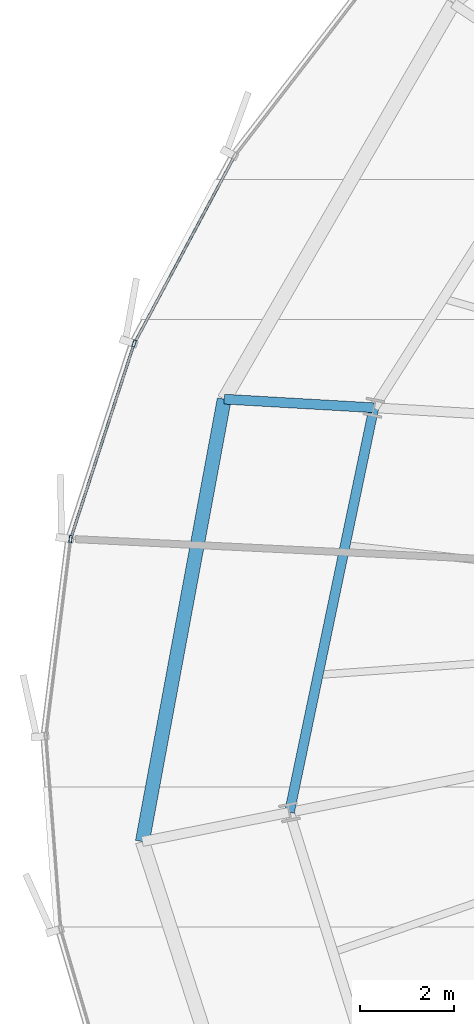
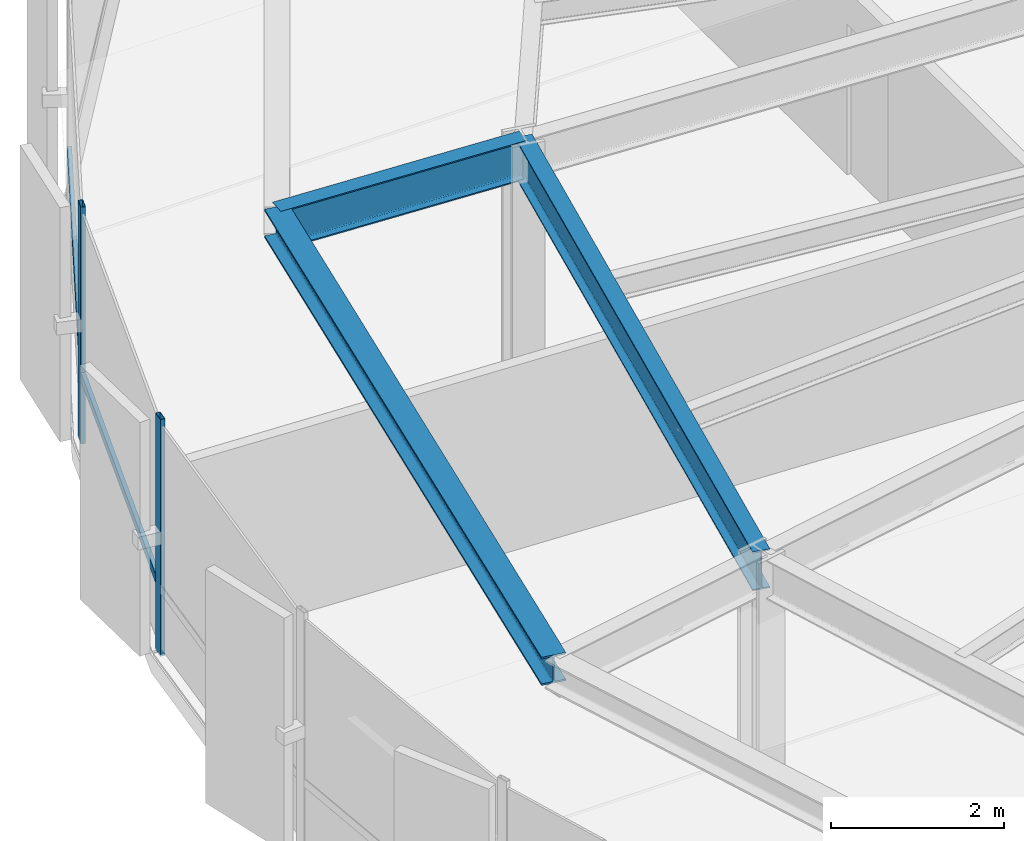
# One storey, part 9 of 34: 4 members, 3 beams, 1 element without a shape of its own.
"""IFC4 building model written with IfcOpenShell, lengths in metres."""

import ifcopenshell
import ifcopenshell.guid

model = None  # the IFC model being written
_history = None  # IfcOwnerHistory: only IFC2X3 demands one
_inside = {}  # id of a spatial element -> (the spatial element, [elements in it])
_under = {}  # id of a project, library or spatial element -> (it, [spatial elements below it])
_declared = {}  # id of a project -> (the project, [libraries it declares])
_typed = {}  # id of a type object -> (the type object, [elements of that type])
_made_of = {}  # id of a material, layer set ... -> (it, [elements and type objects made of it])


def new_model(schema):
    """Start an empty IFC model of exactly this schema.

    Asked for "IFC4X3", IfcOpenShell would pick the latest addendum, in which some entities
    have other attributes; the version numbers below select the first issue.
    IFC2X3 requires an IfcOwnerHistory on every rooted entity: one is made here for all.
    """
    global model, _history
    if schema == "IFC4X3":
        model = ifcopenshell.file(schema_version=(4, 3, 0, 0))
    else:
        model = ifcopenshell.file(schema=schema)
    _inside.clear()
    _under.clear()
    _declared.clear()
    _typed.clear()
    _made_of.clear()
    _history = None
    if model.schema == "IFC2X3":
        org = make("IfcOrganization", Name="unknown")
        user = make(
            "IfcPersonAndOrganization",
            ThePerson=make("IfcPerson", FamilyName="unknown"),
            TheOrganization=org,
        )
        app = make(
            "IfcApplication",
            ApplicationDeveloper=org,
            Version="unknown",
            ApplicationFullName="unknown",
            ApplicationIdentifier="unknown",
        )
        _history = make(
            "IfcOwnerHistory",
            OwningUser=user,
            OwningApplication=app,
            ChangeAction="ADDED",
            CreationDate=0,
        )
    return model


def make(cls, **values):
    """One entity of the class cls with the attributes given. An attribute that is None is left unset."""
    return model.create_entity(
        cls, **{name: value for name, value in values.items() if value is not None}
    )


def rooted(cls, **values):
    """An entity with a GlobalId (a new one), such as an element, a storey or a relation."""
    return make(cls, GlobalId=ifcopenshell.guid.new(), OwnerHistory=_history, **values)


def si_unit(unit_type, name, prefix=None):
    """IfcSIUnit, for example si_unit("LENGTHUNIT", "METRE", prefix="MILLI")."""
    return make("IfcSIUnit", UnitType=unit_type, Prefix=prefix, Name=name)


def assignment(units):
    """IfcUnitAssignment: the units of a project."""
    return None if units is None else make("IfcUnitAssignment", Units=units)


def point(xyz):
    """IfcCartesianPoint."""
    return None if xyz is None else make("IfcCartesianPoint", Coordinates=xyz)


def direction(xyz):
    """IfcDirection."""
    return None if xyz is None else make("IfcDirection", DirectionRatios=xyz)


def frame(location, z_axis=None, x_axis=None):
    """IfcAxis2Placement3D, a coordinate frame: its origin and axes. An axis left out is left unset."""
    return make(
        "IfcAxis2Placement3D",
        Location=point(location),
        Axis=direction(z_axis),
        RefDirection=direction(x_axis),
    )


def frame_2d(location, x_axis=None):
    """IfcAxis2Placement2D, a coordinate frame in the plane: its origin and x axis."""
    return make(
        "IfcAxis2Placement2D", Location=point(location), RefDirection=direction(x_axis)
    )


def origin():
    """The frame at (0, 0, 0) with its axes left unset."""
    return frame((0.0, 0.0, 0.0))


def origin_2d():
    """The frame at (0, 0) in the plane with its x axis left unset."""
    return frame_2d((0.0, 0.0))


def place(relative_to, where):
    """IfcLocalPlacement: puts the frame where relative to a parent placement (None: the world)."""
    return make(
        "IfcLocalPlacement", PlacementRelTo=relative_to, RelativePlacement=where
    )


def context(
    kind, dimensions, precision=None, world=None, true_north=None, identifier=None
):
    """IfcGeometricRepresentationContext, for example the 3D "Model" context."""
    return make(
        "IfcGeometricRepresentationContext",
        ContextIdentifier=identifier,
        ContextType=kind,
        CoordinateSpaceDimension=dimensions,
        Precision=precision,
        WorldCoordinateSystem=world,
        TrueNorth=true_north,
    )


def subcontext(parent, identifier, kind, view, scale=None):
    """IfcGeometricRepresentationSubContext, for example "Body" below "Model"."""
    return make(
        "IfcGeometricRepresentationSubContext",
        ContextIdentifier=identifier,
        ContextType=kind,
        ParentContext=parent,
        TargetScale=scale,
        TargetView=view,
    )


def project(units=None, contexts=None):
    """IfcProject with its units and contexts."""
    return rooted(
        "IfcProject",
        Name="project",
        RepresentationContexts=contexts,
        UnitsInContext=assignment(units),
    )


def spatial(cls, under=None, at=None, **own):
    """A site, building, storey or space (cls), placed at a placement, below another one or the project."""
    s = rooted(cls, ObjectPlacement=at, **own)
    if under is not None:
        _under.setdefault(under.id(), (under, []))[1].append(s)
    return s


def profile(cls, at=None, kind="AREA", **sizes):
    """A parametric profile (cls). Its sizes go by their IFC names, for example OverallWidth=200.0."""
    return make(cls, ProfileType=kind, Position=at, **sizes)


def hollow_rectangle(**sizes):
    """IfcRectangleHollowProfileDef."""
    return profile("IfcRectangleHollowProfileDef", **sizes)


def i_section(**sizes):
    """IfcIShapeProfileDef."""
    return profile("IfcIShapeProfileDef", **sizes)


def extrude(swept, where, along, depth):
    """IfcExtrudedAreaSolid: the profile swept, set in the frame where, extruded along a direction by depth."""
    return make(
        "IfcExtrudedAreaSolid",
        SweptArea=swept,
        Position=where,
        ExtrudedDirection=direction(along),
        Depth=depth,
    )


def shape(context_of_items, identifier, shape_type, items):
    """IfcShapeRepresentation: the items that make up one representation, for example the "Body"."""
    return make(
        "IfcShapeRepresentation",
        ContextOfItems=context_of_items,
        RepresentationIdentifier=identifier,
        RepresentationType=shape_type,
        Items=items,
    )


def source(mapping_origin, context_of_items, identifier, shape_type, items):
    """IfcRepresentationMap: a shape defined once, which mapped items show again and again."""
    return make(
        "IfcRepresentationMap",
        MappingOrigin=mapping_origin,
        MappedRepresentation=shape(context_of_items, identifier, shape_type, items),
    )


def transform(
    local_origin,
    x_axis=None,
    y_axis=None,
    z_axis=None,
    scale=None,
    scale2=None,
    scale3=None,
    uniform=True,
):
    """IfcCartesianTransformationOperator3D, or its non-uniform kind. x_axis, y_axis, z_axis: its Axis1, 2, 3."""
    if uniform:
        return make(
            "IfcCartesianTransformationOperator3D",
            Axis1=direction(x_axis),
            Axis2=direction(y_axis),
            LocalOrigin=point(local_origin),
            Scale=scale,
            Axis3=direction(z_axis),
        )
    return make(
        "IfcCartesianTransformationOperator3DnonUniform",
        Axis1=direction(x_axis),
        Axis2=direction(y_axis),
        LocalOrigin=point(local_origin),
        Scale=scale,
        Axis3=direction(z_axis),
        Scale2=scale2,
        Scale3=scale3,
    )


def mapped(mapping_source, mapping_target):
    """IfcMappedItem: shows the shape of a source again, moved by a transform."""
    return make(
        "IfcMappedItem", MappingSource=mapping_source, MappingTarget=mapping_target
    )


def material(Name=None, Category=None):
    """IfcMaterial."""
    return make("IfcMaterial", Name=Name, Category=Category)


def layer(
    of_material, thickness, ventilated=None, Name=None, Category=None, Priority=None
):
    """IfcMaterialLayer: one layer of a wall or slab, of a material (None: an air gap)."""
    return make(
        "IfcMaterialLayer",
        Material=of_material,
        LayerThickness=thickness,
        IsVentilated=ventilated,
        Name=Name,
        Category=Category,
        Priority=Priority,
    )


def layer_set(layers, Name=None):
    """IfcMaterialLayerSet."""
    return make("IfcMaterialLayerSet", MaterialLayers=layers, LayerSetName=Name)


def material_profile(
    of_material, cross_section, Name=None, Category=None, Priority=None
):
    """IfcMaterialProfile: a cross section and its material."""
    return make(
        "IfcMaterialProfile",
        Name=Name,
        Material=of_material,
        Profile=cross_section,
        Priority=Priority,
        Category=Category,
    )


def profile_set(profiles, Name=None, composite=None):
    """IfcMaterialProfileSet."""
    return make(
        "IfcMaterialProfileSet",
        Name=Name,
        MaterialProfiles=profiles,
        CompositeProfile=composite,
    )


def made_of(thing, what):
    """Note that an element or type object is made of a material, layer set ...; save() writes the relation."""
    if what is not None:
        _made_of.setdefault(what.id(), (what, []))[1].append(thing)
    return thing


def type_object(cls, material=None, **own):
    """A type object (cls), such as IfcWallType, which elements share."""
    return made_of(rooted(cls, **own), material)


def element(
    cls,
    number,
    at=None,
    inside=None,
    cuts=None,
    type_object=None,
    material=None,
    context=None,
    identifier="Body",
    shape_type=None,
    held_by="IfcProductDefinitionShape",
    body=None,
    shapes=None,
    **own,
):
    """One element of the class cls, such as IfcWall. Its Tag is "e" and its number.

    at: its placement. inside: the storey or other place that contains it. cuts: it is an
    opening in that element (IfcRelVoidsElement). A single representation is given by context,
    identifier, shape_type and body (its items); several are given by shapes. held_by: the class
    of the entity that holds the representations. save() writes the other relations.
    """
    e = rooted(cls, Tag="e%d" % number, ObjectPlacement=at, **own)
    if body is not None:
        shapes = [shape(context, identifier, shape_type, body)]
    if shapes is not None:
        e.Representation = make(held_by, Representations=shapes)
    if inside is not None:
        _inside.setdefault(inside.id(), (inside, []))[1].append(e)
    if cuts is not None:
        rooted(
            "IfcRelVoidsElement", RelatingBuildingElement=cuts, RelatedOpeningElement=e
        )
    if type_object is not None:
        _typed.setdefault(type_object.id(), (type_object, []))[1].append(e)
    return made_of(e, material)


def aggregate(whole, parts):
    """IfcRelAggregates: a whole, such as a stair, and the parts it consists of."""
    return rooted("IfcRelAggregates", RelatingObject=whole, RelatedObjects=parts)


def save(model, path):
    """Write the relations noted so far, then the file.

    IfcRelAggregates (storeys below a building ...), IfcRelContainedInSpatialStructure (elements
    in a storey), IfcRelDefinesByType, IfcRelAssociatesMaterial and IfcRelDeclares: one each for
    every whole, place, type object, material and project.
    """
    for whole, parts in _under.values():
        aggregate(whole, parts)
    for where, things in _inside.values():
        rooted(
            "IfcRelContainedInSpatialStructure",
            RelatedElements=things,
            RelatingStructure=where,
        )
    for kind, things in _typed.values():
        rooted("IfcRelDefinesByType", RelatedObjects=things, RelatingType=kind)
    for what, things in _made_of.values():
        rooted("IfcRelAssociatesMaterial", RelatedObjects=things, RelatingMaterial=what)
    for by, libraries in _declared.values():
        rooted("IfcRelDeclares", RelatingContext=by, RelatedDefinitions=libraries)
    model.write(path)


model = new_model("IFC4")

# Units and contexts
model_context = context("Model", 3, precision=1e-05, world=origin(), true_north=direction((0.0, 1.0)))
body_context = subcontext(model_context, "Body", "Model", "MODEL_VIEW")
ifc_project = project(units=[si_unit("LENGTHUNIT", "METRE"), si_unit("AREAUNIT", "SQUARE_METRE"), si_unit("VOLUMEUNIT", "CUBIC_METRE"), si_unit("PLANEANGLEUNIT", "RADIAN"), si_unit("MASSUNIT", "GRAM", prefix="KILO"), si_unit("THERMODYNAMICTEMPERATUREUNIT", "KELVIN")], contexts=[model_context])

# Site, building, storey
site_placement = place(None, origin())
site = spatial("IfcSite", under=ifc_project, at=site_placement, CompositionType="ELEMENT")
building_placement = place(site_placement, origin())
building = spatial("IfcBuilding", under=site, at=building_placement, Name="Kethvar Cultural Tower", CompositionType="ELEMENT")
storey_placement = place(building_placement, frame((0.0, 0.0, 125.199951171875)))
storey = spatial("IfcBuildingStorey", under=building, at=storey_placement, Name="L31", CompositionType="ELEMENT", Elevation=125.199951171875)

# Beams
ifc_material_1 = material(Name="Steel S355J2", Category="steel")
ifc_material_profile_1 = material_profile(ifc_material_1, i_section(OverallWidth=0.2099609375, OverallDepth=0.550048828125, WebThickness=0.010986328125, FlangeThickness=0.01708984375, FilletRadius=0.02392578125, at=origin_2d()), Name="Steel S355J2 — IPE550")
ifc_profile_set_1 = profile_set([ifc_material_profile_1], Name="Steel S355J2 — IPE550")
beam_type_1 = type_object("IfcBeamType", Name="BM-IPE550", PredefinedType="BEAM", material=ifc_profile_set_1)
shared_shape_1 = source(origin(), body_context, "Body", "SweptSolid", [
    extrude(i_section(OverallWidth=0.2099609375, OverallDepth=0.550048828125, WebThickness=0.010986328125, FlangeThickness=0.01708984375, FilletRadius=0.02392578125, at=origin_2d()), origin(), (0.0, 0.0, 1.0), 3.2001953125),
])
beam_1_placement = place(storey_placement, frame((25.988525390625, 31.939697265625, 3.072998046875), z_axis=(-0.998357274949, 0.057295301352, 0.0), x_axis=(-0.057295301352, -0.998357274949, 0.0)))
element("IfcBeam", 1, at=beam_1_placement, inside=storey, type_object=beam_type_1, Name="L31 Perimeter Cantilever Beam RC-08", PredefinedType="BEAM", context=body_context, shape_type="MappedRepresentation", body=[
    mapped(shared_shape_1, transform((0.0, 0.0, 0.0), scale=1.0)),
])
shared_shape_2 = source(origin(), body_context, "Body", "SweptSolid", [
    extrude(i_section(OverallWidth=0.2099609375, OverallDepth=0.550048828125, WebThickness=0.010986328125, FlangeThickness=0.01708984375, FilletRadius=0.02392578125, at=origin_2d()), origin(), (0.0, 0.0, 1.0), 8.82421875),
])
beam_2_placement = place(storey_placement, frame((25.988525390625, 31.939697265625, 3.072998046875), z_axis=(-0.204350879122, -0.978897705688, 0.0), x_axis=(0.978897705688, -0.204350879122, 0.0)))
element("IfcBeam", 2, at=beam_2_placement, inside=storey, type_object=beam_type_1, Name="L31 Column Ring Tie Beam CR-08", PredefinedType="BEAM", context=body_context, shape_type="MappedRepresentation", body=[
    mapped(shared_shape_2, transform((0.0, 0.0, 0.0), scale=1.0)),
])
ifc_material_profile_2 = material_profile(ifc_material_1, i_section(OverallWidth=0.300048828125, OverallDepth=0.39990234375, WebThickness=0.013427734375, FlangeThickness=0.02392578125, FilletRadius=0.027099609375, at=origin_2d()), Name="Steel S355J2 — HEB400")
ifc_profile_set_2 = profile_set([ifc_material_profile_2], Name="Steel S355J2 — HEB400")
beam_type_2 = type_object("IfcBeamType", Name="BM-SP400", PredefinedType="SPANDREL", material=ifc_profile_set_2)
shared_shape_3 = source(origin(), body_context, "Body", "SweptSolid", [
    extrude(i_section(OverallWidth=0.300048828125, OverallDepth=0.39990234375, WebThickness=0.013427734375, FlangeThickness=0.02392578125, FilletRadius=0.027099609375, at=origin_2d()), origin(), (0.0, 0.0, 1.0), 9.605712890625),
])
beam_3_placement = place(storey_placement, frame((22.793701171875, 32.123046875, 3.14794921875), z_axis=(-0.1818526217, -0.983325797476, 0.0), x_axis=(0.983325797476, -0.1818526217, 0.0)))
element("IfcBeam", 3, at=beam_3_placement, inside=storey, type_object=beam_type_2, Name="L31 Perimeter Spandrel Beam SP-08", PredefinedType="SPANDREL", context=body_context, shape_type="MappedRepresentation", body=[
    mapped(shared_shape_3, transform((0.0, 0.0, 0.0), scale=1.0)),
])

# Curtain wall, members
ifc_material_2 = material(Name="Aluminium 6063-T6", Category="aluminium")
ifc_layer = layer(ifc_material_2, 0.179931640625, Name="Aluminium 6063-T6", Category="aluminium")
ifc_layer_set = layer_set([ifc_layer], Name="Aluminium 6063-T6 (180 mm)")
curtain_wall_type = type_object("IfcCurtainWallType", Name="CW-SYS-03-Z2", PredefinedType="NOTDEFINED", material=ifc_layer_set)
curtain_wall_placement = place(storey_placement, origin())
curtain_wall = element("IfcCurtainWall", 4, at=curtain_wall_placement, inside=storey, type_object=curtain_wall_type, Name="L31 Curtain Wall Run 03", PredefinedType="NOTDEFINED")
ifc_material_profile_3 = material_profile(ifc_material_2, hollow_rectangle(XDim=0.06005859375, YDim=0.14990234375, WallThickness=0.0048828125, at=origin_2d()), Name="Aluminium 6063-T6 — RHS150x60x5")
ifc_profile_set_3 = profile_set([ifc_material_profile_3], Name="Aluminium 6063-T6 — RHS150x60x5")
member_type_1 = type_object("IfcMemberType", Name="CW-SYS-03-Z2-MUL", PredefinedType="MULLION", material=ifc_profile_set_3)
shared_shape_4 = source(origin(), body_context, "Body", "SweptSolid", [
    extrude(hollow_rectangle(XDim=0.06005859375, YDim=0.14990234375, WallThickness=0.0048828125, at=origin_2d()), origin(), (0.0, 0.0, 1.0), 3.35009765625),
])
member_1_placement = place(storey_placement, frame((20.87060546875, 33.310302734375, 0.0), z_axis=(0.0, 0.0, 1.0), x_axis=(0.951040334899, -0.309066791154, 0.0)))
member_1 = element("IfcMember", 5, at=member_1_placement, type_object=member_type_1, Name="CW-L31-R03 Mullion 3", PredefinedType="MULLION", context=body_context, shape_type="MappedRepresentation", body=[
    mapped(shared_shape_4, transform((0.0, 0.0, 0.0), scale=1.0)),
])
member_2_placement = place(storey_placement, frame((19.512939453125, 29.139404296875, 0.0), z_axis=(0.0, 0.0, 1.0), x_axis=(0.992262751034, -0.124155680141, 0.0)))
member_2 = element("IfcMember", 6, at=member_2_placement, type_object=member_type_1, Name="CW-L31-R03 Mullion 4", PredefinedType="MULLION", context=body_context, shape_type="MappedRepresentation", body=[
    mapped(shared_shape_4, transform((0.0, 0.0, 0.0), scale=1.0)),
])
ifc_material_profile_4 = material_profile(ifc_material_2, hollow_rectangle(XDim=0.054931640625, YDim=0.1201171875, WallThickness=0.00390625, at=origin_2d()), Name="Aluminium 6063-T6 — RHS120x55x4")
ifc_profile_set_4 = profile_set([ifc_material_profile_4], Name="Aluminium 6063-T6 — RHS120x55x4")
member_type_2 = type_object("IfcMemberType", Name="CW-SYS-03-Z2-TRN", PredefinedType="USERDEFINED", material=ifc_profile_set_4)
shared_shape_5 = source(origin(), body_context, "Body", "SweptSolid", [
    extrude(hollow_rectangle(XDim=0.054931640625, YDim=0.1201171875, WallThickness=0.00390625, at=origin_2d()), origin(), (0.0, 0.0, 1.0), 4.47705078125),
])
member_3_placement = place(storey_placement, frame((22.99560546875, 37.27685546875, 0.949951171875), z_axis=(-0.471906629766, -0.881648531322, 0.0), x_axis=(0.881648531322, -0.471906629766, 0.0)))
member_3 = element("IfcMember", 7, at=member_3_placement, type_object=member_type_2, Name="CW-L31-R03 Transom 2", ObjectType="TRANSOM", PredefinedType="USERDEFINED", context=body_context, shape_type="MappedRepresentation", body=[
    mapped(shared_shape_5, transform((0.0, 0.0, 0.0), scale=1.0)),
])
shared_shape_6 = source(origin(), body_context, "Body", "SweptSolid", [
    extrude(hollow_rectangle(XDim=0.054931640625, YDim=0.1201171875, WallThickness=0.00390625, at=origin_2d()), origin(), (0.0, 0.0, 1.0), 4.321533203125),
])
member_4_placement = place(storey_placement, frame((20.857177734375, 33.26904296875, 0.949951171875), z_axis=(-0.309083517452, -0.951034899065, 0.0), x_axis=(0.951034899065, -0.309083517452, 0.0)))
member_4 = element("IfcMember", 8, at=member_4_placement, type_object=member_type_2, Name="CW-L31-R03 Transom 3", ObjectType="TRANSOM", PredefinedType="USERDEFINED", context=body_context, shape_type="MappedRepresentation", body=[
    mapped(shared_shape_6, transform((0.0, 0.0, 0.0), scale=1.0)),
])
aggregate(curtain_wall, [member_1, member_2, member_3, member_4])

save(model, "model.ifc")
